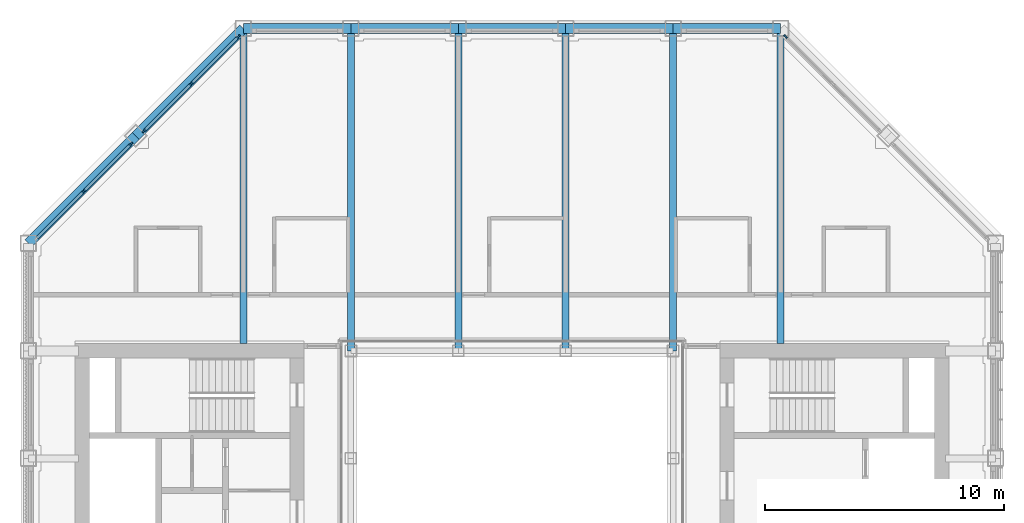
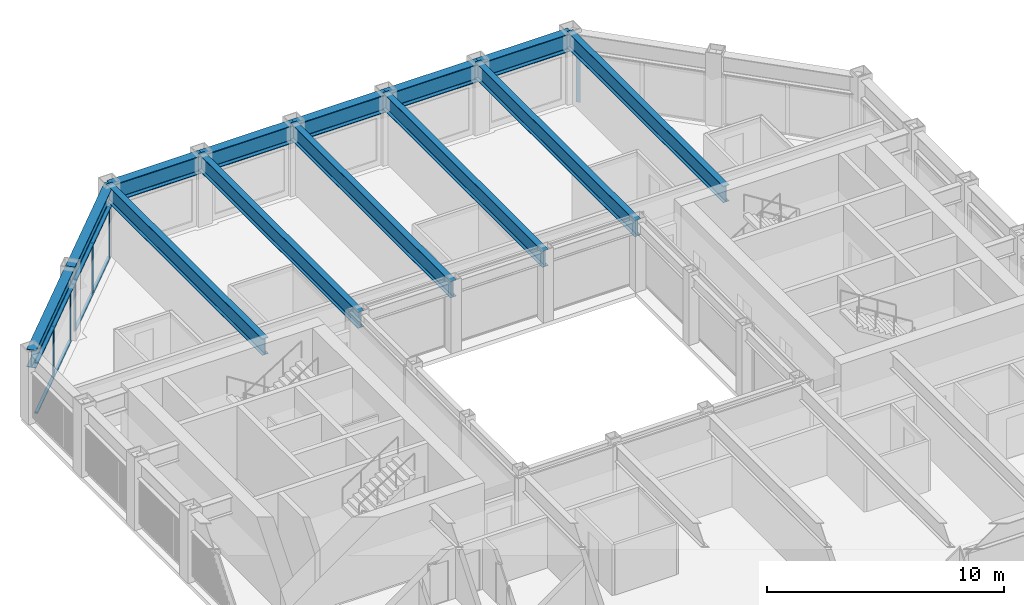
# One storey, part 6 of 16: 14 members, 13 beams, 3 elements without a shape of their own.
"""IFC4 building model written with IfcOpenShell, lengths in metres."""

from ifc_helpers import new_model, si_unit, direction, frame, origin, origin_2d, place, context, subcontext, project, spatial, rectangle, i_section, extrude, material, material_profile, profile_set, type_object, element, aggregate, save


model = new_model("IFC4")

# Units and contexts
model_context = context("Model", 3, precision=1e-05, world=origin(), true_north=direction((0.0, 1.0)))
body_context = subcontext(model_context, "Body", "Model", "MODEL_VIEW")
ifc_project = project(units=[si_unit("LENGTHUNIT", "METRE"), si_unit("AREAUNIT", "SQUARE_METRE"), si_unit("VOLUMEUNIT", "CUBIC_METRE"), si_unit("PLANEANGLEUNIT", "RADIAN"), si_unit("MASSUNIT", "GRAM", prefix="KILO")], contexts=[model_context])

# Site, building, storey
site_placement = place(None, origin())
site = spatial("IfcSite", under=ifc_project, at=site_placement, CompositionType="ELEMENT")
building_placement = place(site_placement, origin())
building = spatial("IfcBuilding", under=site, at=building_placement, Name="Msasa Ring Tower", CompositionType="ELEMENT")
storey_placement = place(building_placement, frame((0.0, 0.0, 215.800048828125)))
storey = spatial("IfcBuildingStorey", under=building, at=storey_placement, Name="L56", CompositionType="ELEMENT", Elevation=215.800048828125)

# Curtain wall, member
ifc_material_1 = material(Name="Aluminium curtain wall with clear glass", Category="aluminium")
curtain_wall_type = type_object("IfcCurtainWallType", Name="CW-C CHAMFER CORNER CURTAIN WALL", PredefinedType="NOTDEFINED", material=ifc_material_1)
curtain_wall_1_placement = place(storey_placement, origin())
curtain_wall_1 = element("IfcCurtainWall", 1, at=curtain_wall_1_placement, inside=storey, type_object=curtain_wall_type, Name="Chamfer corner curtain wall NE L56", PredefinedType="NOTDEFINED")
ifc_material_2 = material(Name="Aluminium mullion", Category="aluminium")
ifc_material_profile_1 = material_profile(ifc_material_2, rectangle(XDim=0.06494140625, YDim=0.179931640625, at=origin_2d()), Name="AL 65x180")
ifc_profile_set_1 = profile_set([ifc_material_profile_1], Name="Aluminium mullion")
member_type_1 = type_object("IfcMemberType", Name="CW-C MULLION 65x180", PredefinedType="MULLION", material=ifc_profile_set_1)
member_1_placement = place(storey_placement, frame((11.453369140625, 19.9052734375, 0.0), z_axis=(0.0, 0.0, 1.0), x_axis=(-0.707106781187, -0.707106781187, 0.0)))
member_1 = element("IfcMember", 2, at=member_1_placement, type_object=member_type_1, Name="CW-C mullion 3", PredefinedType="MULLION", context=body_context, shape_type="SweptSolid", body=[
    extrude(rectangle(XDim=0.06494140625, YDim=0.179931640625, at=origin_2d()), origin(), (0.0, 0.0, 1.0), 2.62890625),
])
aggregate(curtain_wall_1, [member_1])

# Curtain wall, members
curtain_wall_2_placement = place(storey_placement, origin())
curtain_wall_2 = element("IfcCurtainWall", 3, at=curtain_wall_2_placement, inside=storey, type_object=curtain_wall_type, Name="Chamfer corner curtain wall NW L56", PredefinedType="NOTDEFINED")
member_2_placement = place(storey_placement, frame((-15.953369140625, 15.4052734375, 0.0), z_axis=(0.0, 0.0, 1.0), x_axis=(0.707106781187, -0.707106781187, 0.0)))
member_2 = element("IfcMember", 4, at=member_2_placement, type_object=member_type_1, Name="CW-C mullion 1", PredefinedType="MULLION", context=body_context, shape_type="SweptSolid", body=[
    extrude(rectangle(XDim=0.06494140625, YDim=0.179931640625, at=origin_2d()), origin(), (0.0, 0.0, 1.0), 2.62890625),
])
member_3_placement = place(storey_placement, frame((-17.92919921875, 13.42919921875, 0.0), z_axis=(0.0, 0.0, 1.0), x_axis=(0.707106781187, -0.707106781187, 0.0)))
member_3 = element("IfcMember", 5, at=member_3_placement, type_object=member_type_1, Name="CW-C mullion 2", PredefinedType="MULLION", context=body_context, shape_type="SweptSolid", body=[
    extrude(rectangle(XDim=0.06494140625, YDim=0.179931640625, at=origin_2d()), origin(), (0.0, 0.0, 1.0), 2.62890625),
])

curtain_wall_3_placement = place(storey_placement, origin())
curtain_wall_3 = element("IfcCurtainWall", 6, at=curtain_wall_3_placement, inside=storey, type_object=curtain_wall_type, Name="Chamfer corner curtain wall NW L56", PredefinedType="NOTDEFINED")
member_4_placement = place(storey_placement, frame((-11.453369140625, 19.9052734375, 0.0), z_axis=(0.0, 0.0, 1.0), x_axis=(0.707106781187, -0.707106781187, 0.0)))
member_4 = element("IfcMember", 7, at=member_4_placement, type_object=member_type_1, Name="CW-C mullion 1", PredefinedType="MULLION", context=body_context, shape_type="SweptSolid", body=[
    extrude(rectangle(XDim=0.06494140625, YDim=0.179931640625, at=origin_2d()), origin(), (0.0, 0.0, 1.0), 2.62890625),
])
member_5_placement = place(storey_placement, frame((-13.42919921875, 17.92919921875, 0.0), z_axis=(0.0, 0.0, 1.0), x_axis=(0.707106781187, -0.707106781187, 0.0)))
member_5 = element("IfcMember", 8, at=member_5_placement, type_object=member_type_1, Name="CW-C mullion 2", PredefinedType="MULLION", context=body_context, shape_type="SweptSolid", body=[
    extrude(rectangle(XDim=0.06494140625, YDim=0.179931640625, at=origin_2d()), origin(), (0.0, 0.0, 1.0), 2.62890625),
])
member_6_placement = place(storey_placement, frame((-15.4052734375, 15.953369140625, 0.0), z_axis=(0.0, 0.0, 1.0), x_axis=(0.707106781187, -0.707106781187, 0.0)))
member_6 = element("IfcMember", 9, at=member_6_placement, type_object=member_type_1, Name="CW-C mullion 3", PredefinedType="MULLION", context=body_context, shape_type="SweptSolid", body=[
    extrude(rectangle(XDim=0.06494140625, YDim=0.179931640625, at=origin_2d()), origin(), (0.0, 0.0, 1.0), 2.62890625),
])

# Member
ifc_material_3 = material(Name="Aluminium transom", Category="aluminium")
ifc_material_profile_2 = material_profile(ifc_material_3, rectangle(XDim=0.139892578125, YDim=0.06494140625, at=origin_2d()), Name="AL 65x140")
ifc_profile_set_2 = profile_set([ifc_material_profile_2], Name="Aluminium transom")
member_type_2 = type_object("IfcMemberType", Name="CW-C TRANSOM 65x140", PredefinedType="USERDEFINED", material=ifc_profile_set_2)
member_7_placement = place(storey_placement, frame((-15.976318359375, 15.38232421875, 0.032470703125), z_axis=(-0.707106781187, -0.707106781187, 0.0), x_axis=(0.707106781187, -0.707106781187, 0.0)))
member_7 = element("IfcMember", 10, at=member_7_placement, type_object=member_type_2, Name="CW-C transom 1.1", ObjectType="TRANSOM", PredefinedType="USERDEFINED", context=body_context, shape_type="SweptSolid", body=[
    extrude(rectangle(XDim=0.139892578125, YDim=0.06494140625, at=origin_2d()), origin(), (0.0, 0.0, 1.0), 2.729248046875),
])

member_8_placement = place(storey_placement, frame((-15.976318359375, 15.38232421875, 2.596435546875), z_axis=(-0.707106781187, -0.707106781187, 0.0), x_axis=(0.707106781187, -0.707106781187, 0.0)))
member_8 = element("IfcMember", 11, at=member_8_placement, type_object=member_type_2, Name="CW-C transom 1.2", ObjectType="TRANSOM", PredefinedType="USERDEFINED", context=body_context, shape_type="SweptSolid", body=[
    extrude(rectangle(XDim=0.139892578125, YDim=0.06494140625, at=origin_2d()), origin(), (0.0, 0.0, 1.0), 2.729248046875),
])

member_9_placement = place(storey_placement, frame((-17.952392578125, 13.40625, 0.032470703125), z_axis=(-0.707106781187, -0.707106781187, 0.0), x_axis=(0.707106781187, -0.707106781187, 0.0)))
member_9 = element("IfcMember", 12, at=member_9_placement, type_object=member_type_2, Name="CW-C transom 2.1", ObjectType="TRANSOM", PredefinedType="USERDEFINED", context=body_context, shape_type="SweptSolid", body=[
    extrude(rectangle(XDim=0.139892578125, YDim=0.06494140625, at=origin_2d()), origin(), (0.0, 0.0, 1.0), 2.729248046875),
])

member_10_placement = place(storey_placement, frame((-17.952392578125, 13.40625, 2.596435546875), z_axis=(-0.707106781187, -0.707106781187, 0.0), x_axis=(0.707106781187, -0.707106781187, 0.0)))
member_10 = element("IfcMember", 13, at=member_10_placement, type_object=member_type_2, Name="CW-C transom 2.2", ObjectType="TRANSOM", PredefinedType="USERDEFINED", context=body_context, shape_type="SweptSolid", body=[
    extrude(rectangle(XDim=0.139892578125, YDim=0.06494140625, at=origin_2d()), origin(), (0.0, 0.0, 1.0), 2.729248046875),
])

aggregate(curtain_wall_2, [member_2, member_3, member_7, member_8, member_9, member_10])

member_11_placement = place(storey_placement, frame((-11.476318359375, 19.88232421875, 0.032470703125), z_axis=(-0.707106781187, -0.707106781187, 0.0), x_axis=(0.707106781187, -0.707106781187, 0.0)))
member_11 = element("IfcMember", 14, at=member_11_placement, type_object=member_type_2, Name="CW-C transom 1.1", ObjectType="TRANSOM", PredefinedType="USERDEFINED", context=body_context, shape_type="SweptSolid", body=[
    extrude(rectangle(XDim=0.139892578125, YDim=0.06494140625, at=origin_2d()), origin(), (0.0, 0.0, 1.0), 2.729248046875),
])

member_12_placement = place(storey_placement, frame((-11.476318359375, 19.88232421875, 2.596435546875), z_axis=(-0.707106781187, -0.707106781187, 0.0), x_axis=(0.707106781187, -0.707106781187, 0.0)))
member_12 = element("IfcMember", 15, at=member_12_placement, type_object=member_type_2, Name="CW-C transom 1.2", ObjectType="TRANSOM", PredefinedType="USERDEFINED", context=body_context, shape_type="SweptSolid", body=[
    extrude(rectangle(XDim=0.139892578125, YDim=0.06494140625, at=origin_2d()), origin(), (0.0, 0.0, 1.0), 2.729248046875),
])

member_13_placement = place(storey_placement, frame((-13.452392578125, 17.90625, 0.032470703125), z_axis=(-0.707106781187, -0.707106781187, 0.0), x_axis=(0.707106781187, -0.707106781187, 0.0)))
member_13 = element("IfcMember", 16, at=member_13_placement, type_object=member_type_2, Name="CW-C transom 2.1", ObjectType="TRANSOM", PredefinedType="USERDEFINED", context=body_context, shape_type="SweptSolid", body=[
    extrude(rectangle(XDim=0.139892578125, YDim=0.06494140625, at=origin_2d()), origin(), (0.0, 0.0, 1.0), 2.729248046875),
])

member_14_placement = place(storey_placement, frame((-13.452392578125, 17.90625, 2.596435546875), z_axis=(-0.707106781187, -0.707106781187, 0.0), x_axis=(0.707106781187, -0.707106781187, 0.0)))
member_14 = element("IfcMember", 17, at=member_14_placement, type_object=member_type_2, Name="CW-C transom 2.2", ObjectType="TRANSOM", PredefinedType="USERDEFINED", context=body_context, shape_type="SweptSolid", body=[
    extrude(rectangle(XDim=0.139892578125, YDim=0.06494140625, at=origin_2d()), origin(), (0.0, 0.0, 1.0), 2.729248046875),
])

aggregate(curtain_wall_3, [member_4, member_5, member_6, member_11, member_12, member_13, member_14])

# Beams
ifc_material_4 = material(Name="Steel S355", Category="steel")
ifc_material_profile_3 = material_profile(ifc_material_4, i_section(OverallWidth=0.293701171875, OverallDepth=0.850830078125, WebThickness=0.01611328125, FlangeThickness=0.02685546875, FilletRadius=0.017822265625, at=origin_2d()), Name="UB 838x292x226")
ifc_profile_set_3 = profile_set([ifc_material_profile_3], Name="Steel S355")
beam_type_1 = type_object("IfcBeamType", Name="FB5 UB 838x292x226", PredefinedType="BEAM", material=ifc_profile_set_3)
beam_1_placement = place(storey_placement, frame((-11.25, 20.25, 3.12451171875), z_axis=(0.0, -1.0, 0.0), x_axis=(1.0, 0.0, 0.0)))
element("IfcBeam", 18, at=beam_1_placement, inside=storey, type_object=beam_type_1, Name="Floor beam N-11.25 under L57", PredefinedType="BEAM", context=body_context, shape_type="SweptSolid", body=[
    extrude(i_section(OverallWidth=0.293701171875, OverallDepth=0.850830078125, WebThickness=0.01611328125, FlangeThickness=0.02685546875, FilletRadius=0.017822265625, at=origin_2d()), origin(), (0.0, 0.0, 1.0), 13.199951171875),
])
for number, where, z_axis, x_axis, name in (
    (19, (-6.75, 20.25, 3.12451171875), (0.0, -1.0, 0.0), (1.0, 0.0, 0.0), "Floor beam N-6.75 under L57"),
    (20, (-2.25, 20.25, 3.12451171875), (0.0, -1.0, 0.0), (1.0, 0.0, 0.0), "Floor beam N-2.25 under L57"),
    (21, (2.25, 20.25, 3.12451171875), (0.0, -1.0, 0.0), (1.0, 0.0, 0.0), "Floor beam N+2.25 under L57"),
    (22, (6.75, 20.25, 3.12451171875), (0.0, -1.0, 0.0), (1.0, 0.0, 0.0), "Floor beam N+6.75 under L57"),
):
    element("IfcBeam", number, at=place(storey_placement, frame(where, z_axis=z_axis, x_axis=x_axis)), inside=storey, type_object=beam_type_1, Name=name, PredefinedType="BEAM", context=body_context, shape_type="SweptSolid", body=[
        extrude(i_section(OverallWidth=0.293701171875, OverallDepth=0.850830078125, WebThickness=0.01611328125, FlangeThickness=0.02685546875, FilletRadius=0.017822265625, at=origin_2d()), origin(), (0.0, 0.0, 1.0), 13.5),
    ])
beam_2_placement = place(storey_placement, frame((11.25, 20.25, 3.12451171875), z_axis=(0.0, -1.0, 0.0), x_axis=(1.0, 0.0, 0.0)))
element("IfcBeam", 23, at=beam_2_placement, inside=storey, type_object=beam_type_1, Name="Floor beam N+11.25 under L57", PredefinedType="BEAM", context=body_context, shape_type="SweptSolid", body=[
    extrude(i_section(OverallWidth=0.293701171875, OverallDepth=0.850830078125, WebThickness=0.01611328125, FlangeThickness=0.02685546875, FilletRadius=0.017822265625, at=origin_2d()), origin(), (0.0, 0.0, 1.0), 13.199951171875),
])
ifc_material_5 = material(Name="Steel S355", Category="steel")
ifc_material_profile_4 = material_profile(ifc_material_5, i_section(OverallWidth=0.42041015625, OverallDepth=0.9208984375, WebThickness=0.021484375, FlangeThickness=0.03662109375, FilletRadius=0.024169921875, at=origin_2d()), Name="UB 914x419x388")
ifc_profile_set_4 = profile_set([ifc_material_profile_4], Name="Steel S355")
beam_type_2 = type_object("IfcBeamType", Name="SB1 UB 914x419x388", PredefinedType="SPANDREL", material=ifc_profile_set_4)
for number, where, z_axis, x_axis, name in (
    (24, (11.25, 20.25, 3.08935546875), (-1.0, 0.0, 0.0), (0.0, -1.0, 0.0), "Spandrel N+11.25 to N+6.75 under L57"),
    (25, (6.75, 20.25, 3.08935546875), (-1.0, 0.0, 0.0), (0.0, -1.0, 0.0), "Spandrel N+6.75 to N+2.25 under L57"),
    (26, (2.25, 20.25, 3.08935546875), (-1.0, 0.0, 0.0), (0.0, -1.0, 0.0), "Spandrel N+2.25 to N-2.25 under L57"),
    (27, (-2.25, 20.25, 3.08935546875), (-1.0, 0.0, 0.0), (0.0, -1.0, 0.0), "Spandrel N-2.25 to N-6.75 under L57"),
    (28, (-6.75, 20.25, 3.08935546875), (-1.0, 0.0, 0.0), (0.0, -1.0, 0.0), "Spandrel N-6.75 to N-11.25 under L57"),
):
    element("IfcBeam", number, at=place(storey_placement, frame(where, z_axis=z_axis, x_axis=x_axis)), inside=storey, type_object=beam_type_2, Name=name, PredefinedType="SPANDREL", context=body_context, shape_type="SweptSolid", body=[
        extrude(i_section(OverallWidth=0.42041015625, OverallDepth=0.9208984375, WebThickness=0.021484375, FlangeThickness=0.03662109375, FilletRadius=0.024169921875, at=origin_2d()), origin(), (0.0, 0.0, 1.0), 4.5),
    ])
for number, where, z_axis, x_axis, name in (
    (29, (-11.25, 20.25, 3.08935546875), (-0.707106781187, -0.707106781187, 0.0), (0.707106781187, -0.707106781187, 0.0), "Spandrel N-11.25 to NW under L57"),
    (30, (-15.75, 15.75, 3.08935546875), (-0.707106781187, -0.707106781187, 0.0), (0.707106781187, -0.707106781187, 0.0), "Spandrel NW to W+11.25 under L57"),
):
    element("IfcBeam", number, at=place(storey_placement, frame(where, z_axis=z_axis, x_axis=x_axis)), inside=storey, type_object=beam_type_2, Name=name, PredefinedType="SPANDREL", context=body_context, shape_type="SweptSolid", body=[
        extrude(i_section(OverallWidth=0.42041015625, OverallDepth=0.9208984375, WebThickness=0.021484375, FlangeThickness=0.03662109375, FilletRadius=0.024169921875, at=origin_2d()), origin(), (0.0, 0.0, 1.0), 6.364013671875),
    ])

save(model, "model.ifc")
